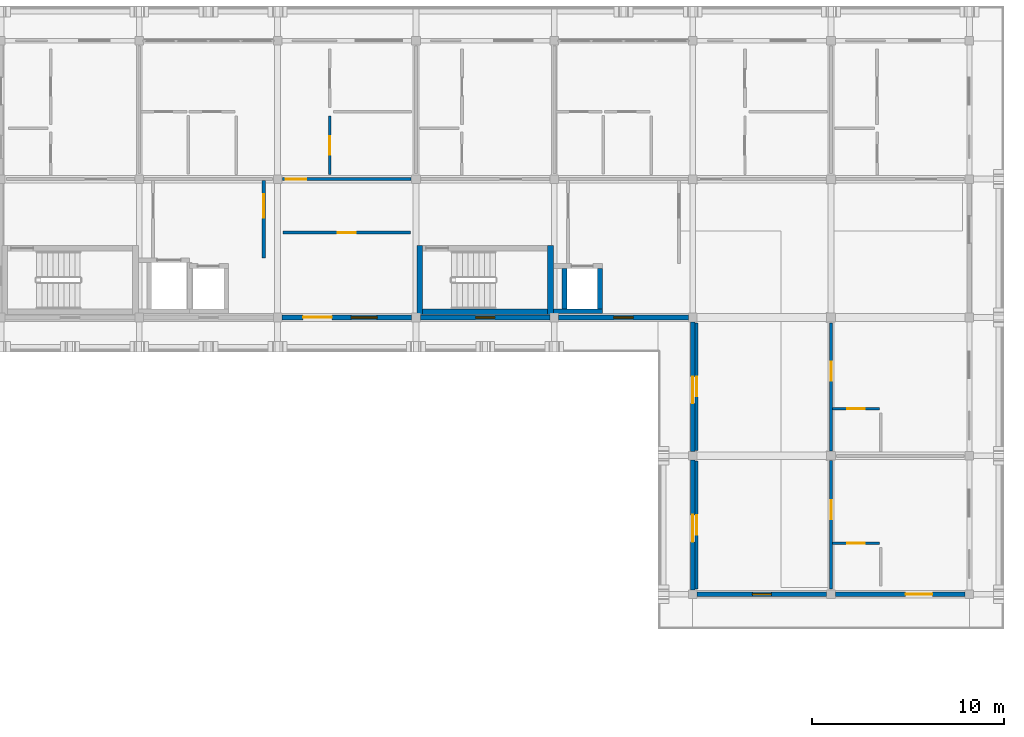
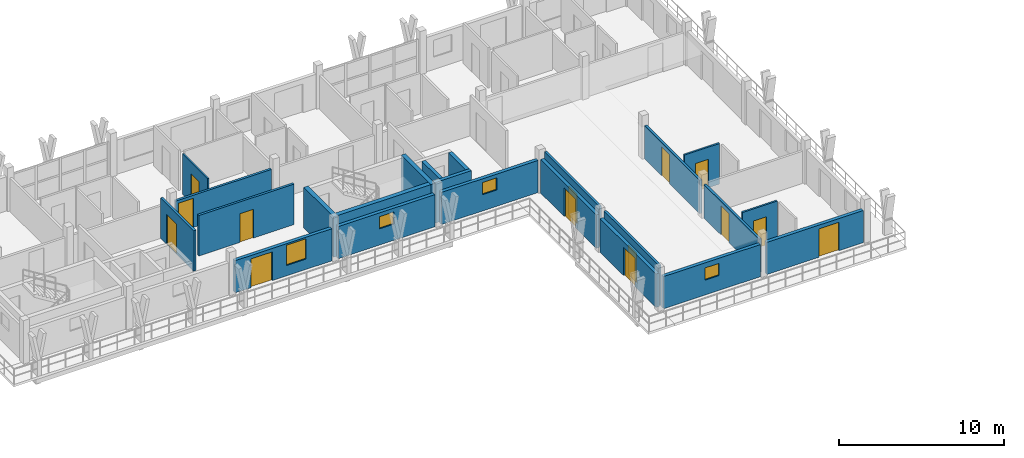
# One storey, part 33 of 45: 23 walls, 14 doors, 4 windows, 18 openings.
"""IFC4 building model written with IfcOpenShell, lengths in metres."""

from ifc_helpers import new_model, si_unit, direction, frame, frame_2d, origin, place, context, subcontext, project, spatial, rectangle, extrude, material, layer, layer_set, type_object, element, fill, save


model = new_model("IFC4")

# Units and contexts
model_context = context("Model", 3, precision=1e-05, world=origin(), true_north=direction((0.0, 1.0)))
body_context = subcontext(model_context, "Body", "Model", "MODEL_VIEW")
ifc_project = project(units=[si_unit("LENGTHUNIT", "METRE"), si_unit("AREAUNIT", "SQUARE_METRE"), si_unit("VOLUMEUNIT", "CUBIC_METRE"), si_unit("PLANEANGLEUNIT", "RADIAN"), si_unit("MASSUNIT", "GRAM", prefix="KILO")], contexts=[model_context])

# Site, building, storey
site_placement = place(None, origin())
site = spatial("IfcSite", under=ifc_project, at=site_placement, CompositionType="ELEMENT")
building_placement = place(site_placement, origin())
building = spatial("IfcBuilding", under=site, at=building_placement, Name="Suanplinth Sawtooth Commons", CompositionType="ELEMENT")
storey_placement = place(building_placement, frame((0.0, 0.0, 38.0)))
storey = spatial("IfcBuildingStorey", under=building, at=storey_placement, Name="L11", CompositionType="ELEMENT", Elevation=38.0)

# Walls
ifc_material_1 = material(Name="Concrete C40/50", Category="concrete")
ifc_layer_1 = layer(ifc_material_1, 0.300048828125, Name="Standard RC stair and lift core wall 300mm")
ifc_layer_set_1 = layer_set([ifc_layer_1], Name="Concrete C40/50")
wall_type_1 = type_object("IfcWallType", Name="W-CR02", PredefinedType="SHEAR", material=ifc_layer_set_1)
wall_1_placement = place(storey_placement, frame((158.75, 108.300048828125, 0.0), z_axis=(0.0, 0.0, 1.0), x_axis=(1.0, 0.0, 0.0)))
element("IfcWall", 1, at=wall_1_placement, inside=storey, type_object=wall_type_1, Name="W-L11-C-B2-STS", PredefinedType="SHEAR", context=body_context, shape_type="SweptSolid", body=[
    extrude(rectangle(XDim=6.5, YDim=0.300048828125, at=frame_2d((3.25, 0.0))), origin(), (0.0, 0.0, 1.0), 2.989990234375),
])
for number, where, z_axis, x_axis, name in (
    (2, (158.60009765625, 108.14990234375, 0.0), (0.0, 0.0, 1.0), (0.0, 1.0, 0.0), "W-L11-C-B2-STW"),
    (3, (165.39990234375, 108.14990234375, 0.0), (0.0, 0.0, 1.0), (0.0, 1.0, 0.0), "W-L11-C-B2-STE"),
):
    element("IfcWall", number, at=place(storey_placement, frame(where, z_axis=z_axis, x_axis=x_axis)), inside=storey, type_object=wall_type_1, Name=name, PredefinedType="SHEAR", context=body_context, shape_type="SweptSolid", body=[
        extrude(rectangle(XDim=3.60009765625, YDim=0.300048828125, at=frame_2d((1.800048828125, 0.0))), origin(), (0.0, 0.0, 1.0), 2.989990234375),
    ])

# Wall, openings, door, window
ifc_material_2 = material(Name="Precast concrete C40/50", Category="concrete")
ifc_layer_2 = layer(ifc_material_2, 0.239990234375, Name="Upper insulated precast facade wall 240mm")
ifc_layer_set_2 = layer_set([ifc_layer_2], Name="Precast concrete C40/50")
wall_type_2 = type_object("IfcWallType", Name="W-EX03", PredefinedType="ELEMENTEDWALL", material=ifc_layer_set_2)
wall_2_placement = place(storey_placement, frame((151.425048828125, 108.0, 0.0), z_axis=(0.0, 0.0, 1.0), x_axis=(1.0, 0.0, 0.0)))
wall_2 = element("IfcWall", 4, at=wall_2_placement, inside=storey, type_object=wall_type_2, Name="Facade Wall W-L11-B-S-21-15", PredefinedType="ELEMENTEDWALL", context=body_context, shape_type="SweptSolid", body=[
    extrude(rectangle(XDim=6.75, YDim=0.239990234375, at=frame_2d((3.375, 0.0))), origin(), (0.0, 0.0, 1.0), 2.375),
])
opening_1_placement = place(wall_2_placement, frame((1.10009765625, 0.0, 0.0)))
opening_1 = element("IfcOpeningElement", 5, at=opening_1_placement, cuts=wall_2, Name="Opening ED0795", PredefinedType="OPENING", context=body_context, shape_type="SweptSolid", body=[
    extrude(rectangle(XDim=1.5, YDim=2.1201171875, at=frame_2d((0.75, 1.06005859375))), frame((0.0, 0.134765625, 0.0), z_axis=(0.0, -1.0, 0.0), x_axis=(1.0, 0.0, 0.0)), (0.0, 0.0, 1.0), 0.269775390625),
])
opening_2_placement = place(wall_2_placement, frame((3.60009765625, 0.0, 0.764892578125)))
opening_2 = element("IfcOpeningElement", 6, at=opening_2_placement, cuts=wall_2, Name="Opening W0878", PredefinedType="OPENING", context=body_context, shape_type="SweptSolid", body=[
    extrude(rectangle(XDim=1.35009765625, YDim=1.5, at=frame_2d((0.675048828125, 0.75))), frame((0.0, 0.134765625, 0.0), z_axis=(0.0, -1.0, 0.0), x_axis=(1.0, 0.0, 0.0)), (0.0, 0.0, 1.0), 0.269775390625),
])
ifc_material_3 = material(Name="Anodized aluminium and low-E glass", Category="aluminium")
door_type_1 = type_object("IfcDoorType", Name="SD-03", OperationType="SLIDING_TO_LEFT", PredefinedType="DOOR", material=ifc_material_3)
door_1_placement = place(opening_1_placement, frame((1.5, 0.0, 0.0), z_axis=(0.0, 0.0, 1.0), x_axis=(-1.0, 0.0, 0.0)))
door_1 = element("IfcDoor", 7, at=door_1_placement, inside=storey, type_object=door_type_1, Name="Courtyard Balcony Door L11-B-21", OperationType="SLIDING_TO_LEFT", OverallHeight=2.1201171875, OverallWidth=1.5, PredefinedType="DOOR", context=body_context, shape_type="SweptSolid", body=[
    extrude(rectangle(XDim=1.5, YDim=2.1201171875, at=frame_2d((0.75, 1.06005859375))), frame((0.0, 0.02490234375, 0.0), z_axis=(0.0, -1.0, 0.0), x_axis=(1.0, 0.0, 0.0)), (0.0, 0.0, 1.0), 0.050048828125),
])
fill(opening_1, door_1)
ifc_material_4 = material(Name="Thermally broken aluminium and low-E double glazing", Category="aluminium")
window_type_1 = type_object("IfcWindowType", Name="WN-14", PartitioningType="SINGLE_PANEL", PredefinedType="WINDOW", material=ifc_material_4)
window_1_placement = place(opening_2_placement, origin())
window_1 = element("IfcWindow", 8, at=window_1_placement, inside=storey, type_object=window_type_1, Name="Courtyard Window L11-B-21", OverallHeight=1.5, OverallWidth=1.35009765625, PartitioningType="SINGLE_PANEL", PredefinedType="WINDOW", context=body_context, shape_type="SweptSolid", body=[
    extrude(rectangle(XDim=1.35009765625, YDim=1.5, at=frame_2d((0.675048828125, 0.75))), frame((0.0, 0.030029296875, 0.0), z_axis=(0.0, -1.0, 0.0), x_axis=(1.0, 0.0, 0.0)), (0.0, 0.0, 1.0), 0.06005859375),
])
fill(opening_2, window_1)

# Wall, opening, window
wall_3_placement = place(storey_placement, frame((158.625, 108.0, 0.0), z_axis=(0.0, 0.0, 1.0), x_axis=(1.0, 0.0, 0.0)))
wall_3 = element("IfcWall", 9, at=wall_3_placement, inside=storey, type_object=wall_type_2, Name="Facade Wall W-L11-B-S-22-15", PredefinedType="ELEMENTEDWALL", context=body_context, shape_type="SweptSolid", body=[
    extrude(rectangle(XDim=6.75, YDim=0.239990234375, at=frame_2d((3.375, 0.0))), origin(), (0.0, 0.0, 1.0), 2.375),
])
opening_3_placement = place(wall_3_placement, frame((2.875, 0.0, 1.199951171875)))
opening_3 = element("IfcOpeningElement", 10, at=opening_3_placement, cuts=wall_3, Name="Opening W0880", PredefinedType="OPENING", context=body_context, shape_type="SweptSolid", body=[
    extrude(rectangle(XDim=1.0, YDim=0.89990234375, at=frame_2d((0.5, 0.449951171875))), frame((0.0, 0.134765625, 0.0), z_axis=(0.0, -1.0, 0.0), x_axis=(1.0, 0.0, 0.0)), (0.0, 0.0, 1.0), 0.269775390625),
])
window_type_2 = type_object("IfcWindowType", Name="WN-12", PartitioningType="SINGLE_PANEL", PredefinedType="WINDOW", material=ifc_material_4)
window_2_placement = place(opening_3_placement, origin())
window_2 = element("IfcWindow", 11, at=window_2_placement, inside=storey, type_object=window_type_2, Name="Core Daylight Window L11-B-22-15", OverallHeight=0.89990234375, OverallWidth=1.0, PartitioningType="SINGLE_PANEL", PredefinedType="WINDOW", context=body_context, shape_type="SweptSolid", body=[
    extrude(rectangle(XDim=1.0, YDim=0.89990234375, at=frame_2d((0.5, 0.449951171875))), frame((0.0, 0.030029296875, 0.0), z_axis=(0.0, -1.0, 0.0), x_axis=(1.0, 0.0, 0.0)), (0.0, 0.0, 1.0), 0.06005859375),
])
fill(opening_3, window_2)

wall_4_placement = place(storey_placement, frame((165.824951171875, 108.0, 0.0), z_axis=(0.0, 0.0, 1.0), x_axis=(1.0, 0.0, 0.0)))
wall_4 = element("IfcWall", 12, at=wall_4_placement, inside=storey, type_object=wall_type_2, Name="Facade Wall W-L11-B-S-23-15", PredefinedType="ELEMENTEDWALL", context=body_context, shape_type="SweptSolid", body=[
    extrude(rectangle(XDim=6.75, YDim=0.239990234375, at=frame_2d((3.375, 0.0))), origin(), (0.0, 0.0, 1.0), 2.375),
])
opening_4_placement = place(wall_4_placement, frame((2.875, 0.0, 1.199951171875)))
opening_4 = element("IfcOpeningElement", 13, at=opening_4_placement, cuts=wall_4, Name="Opening W0882", PredefinedType="OPENING", context=body_context, shape_type="SweptSolid", body=[
    extrude(rectangle(XDim=1.0, YDim=0.89990234375, at=frame_2d((0.5, 0.449951171875))), frame((0.0, 0.134765625, 0.0), z_axis=(0.0, -1.0, 0.0), x_axis=(1.0, 0.0, 0.0)), (0.0, 0.0, 1.0), 0.269775390625),
])
window_3_placement = place(opening_4_placement, origin())
window_3 = element("IfcWindow", 14, at=window_3_placement, inside=storey, type_object=window_type_2, Name="Core Daylight Window L11-B-23-15", OverallHeight=0.89990234375, OverallWidth=1.0, PartitioningType="SINGLE_PANEL", PredefinedType="WINDOW", context=body_context, shape_type="SweptSolid", body=[
    extrude(rectangle(XDim=1.0, YDim=0.89990234375, at=frame_2d((0.5, 0.449951171875))), frame((0.0, 0.030029296875, 0.0), z_axis=(0.0, -1.0, 0.0), x_axis=(1.0, 0.0, 0.0)), (0.0, 0.0, 1.0), 0.06005859375),
])
fill(opening_4, window_3)

wall_5_placement = place(storey_placement, frame((173.02490234375, 93.60009765625, 0.0), z_axis=(0.0, 0.0, 1.0), x_axis=(1.0, 0.0, 0.0)))
wall_5 = element("IfcWall", 15, at=wall_5_placement, inside=storey, type_object=wall_type_2, Name="Facade Wall W-L11-B-S-24-13", PredefinedType="ELEMENTEDWALL", context=body_context, shape_type="SweptSolid", body=[
    extrude(rectangle(XDim=6.75, YDim=0.239990234375, at=frame_2d((3.375, 0.0))), origin(), (0.0, 0.0, 1.0), 2.375),
])
opening_5_placement = place(wall_5_placement, frame((2.875, 0.0, 1.10009765625)))
opening_5 = element("IfcOpeningElement", 16, at=opening_5_placement, cuts=wall_5, Name="Opening W0883", PredefinedType="OPENING", context=body_context, shape_type="SweptSolid", body=[
    extrude(rectangle(XDim=1.0, YDim=0.89990234375, at=frame_2d((0.5, 0.449951171875))), frame((0.0, 0.134765625, 0.0), z_axis=(0.0, -1.0, 0.0), x_axis=(1.0, 0.0, 0.0)), (0.0, 0.0, 1.0), 0.269775390625),
])
window_4_placement = place(opening_5_placement, origin())
window_4 = element("IfcWindow", 17, at=window_4_placement, inside=storey, type_object=window_type_2, Name="End Window L11-B-S-24-13", OverallHeight=0.89990234375, OverallWidth=1.0, PartitioningType="SINGLE_PANEL", PredefinedType="WINDOW", context=body_context, shape_type="SweptSolid", body=[
    extrude(rectangle(XDim=1.0, YDim=0.89990234375, at=frame_2d((0.5, 0.449951171875))), frame((0.0, 0.030029296875, 0.0), z_axis=(0.0, -1.0, 0.0), x_axis=(1.0, 0.0, 0.0)), (0.0, 0.0, 1.0), 0.06005859375),
])
fill(opening_5, window_4)

# Wall, opening, door
wall_6_placement = place(storey_placement, frame((172.800048828125, 93.824951171875, 0.0), z_axis=(0.0, 0.0, 1.0), x_axis=(0.0, 1.0, 0.0)))
wall_6 = element("IfcWall", 18, at=wall_6_placement, inside=storey, type_object=wall_type_2, Name="Facade Wall W-L11-B-W-24-13", PredefinedType="ELEMENTEDWALL", context=body_context, shape_type="SweptSolid", body=[
    extrude(rectangle(XDim=6.75, YDim=0.239990234375, at=frame_2d((3.375, 0.0))), origin(), (0.0, 0.0, 1.0), 2.47509765625),
])
opening_6_placement = place(wall_6_placement, frame((2.5, 0.0, 0.0)))
opening_6 = element("IfcOpeningElement", 19, at=opening_6_placement, cuts=wall_6, Name="Opening ED0798", PredefinedType="OPENING", context=body_context, shape_type="SweptSolid", body=[
    extrude(rectangle(XDim=1.39990234375, YDim=2.10009765625, at=frame_2d((0.699951171875, 1.050048828125))), frame((0.0, 0.134765625, 0.0), z_axis=(0.0, -1.0, 0.0), x_axis=(1.0, 0.0, 0.0)), (0.0, 0.0, 1.0), 0.269775390625),
])
door_type_2 = type_object("IfcDoorType", Name="SD-07", OperationType="SLIDING_TO_RIGHT", PredefinedType="DOOR", material=ifc_material_3)
door_2_placement = place(opening_6_placement, frame((1.39990234375, 0.0, 0.0), z_axis=(0.0, 0.0, 1.0), x_axis=(-1.0, 0.0, 0.0)))
door_2 = element("IfcDoor", 20, at=door_2_placement, inside=storey, type_object=door_type_2, Name="Courtyard Veranda Studio Balcony Door L11-B-13", OperationType="SLIDING_TO_RIGHT", OverallHeight=2.10009765625, OverallWidth=1.39990234375, PredefinedType="DOOR", context=body_context, shape_type="SweptSolid", body=[
    extrude(rectangle(XDim=1.39990234375, YDim=2.10009765625, at=frame_2d((0.699951171875, 1.050048828125))), frame((0.0, 0.02490234375, 0.0), z_axis=(0.0, -1.0, 0.0), x_axis=(1.0, 0.0, 0.0)), (0.0, 0.0, 1.0), 0.050048828125),
])
fill(opening_6, door_2)

wall_7_placement = place(storey_placement, frame((172.800048828125, 101.02490234375, 0.0), z_axis=(0.0, 0.0, 1.0), x_axis=(0.0, 1.0, 0.0)))
wall_7 = element("IfcWall", 21, at=wall_7_placement, inside=storey, type_object=wall_type_2, Name="Facade Wall W-L11-B-W-24-14", PredefinedType="ELEMENTEDWALL", context=body_context, shape_type="SweptSolid", body=[
    extrude(rectangle(XDim=6.75, YDim=0.239990234375, at=frame_2d((3.375, 0.0))), origin(), (0.0, 0.0, 1.0), 2.47509765625),
])
opening_7_placement = place(wall_7_placement, frame((2.5, 0.0, 0.0)))
opening_7 = element("IfcOpeningElement", 22, at=opening_7_placement, cuts=wall_7, Name="Opening ED0799", PredefinedType="OPENING", context=body_context, shape_type="SweptSolid", body=[
    extrude(rectangle(XDim=1.39990234375, YDim=2.10009765625, at=frame_2d((0.699951171875, 1.050048828125))), frame((0.0, 0.134765625, 0.0), z_axis=(0.0, -1.0, 0.0), x_axis=(1.0, 0.0, 0.0)), (0.0, 0.0, 1.0), 0.269775390625),
])
door_3_placement = place(opening_7_placement, frame((1.39990234375, 0.0, 0.0), z_axis=(0.0, 0.0, 1.0), x_axis=(-1.0, 0.0, 0.0)))
door_3 = element("IfcDoor", 23, at=door_3_placement, inside=storey, type_object=door_type_2, Name="Courtyard Veranda Studio Balcony Door L11-B-14", OperationType="SLIDING_TO_RIGHT", OverallHeight=2.10009765625, OverallWidth=1.39990234375, PredefinedType="DOOR", context=body_context, shape_type="SweptSolid", body=[
    extrude(rectangle(XDim=1.39990234375, YDim=2.10009765625, at=frame_2d((0.699951171875, 1.050048828125))), frame((0.0, 0.02490234375, 0.0), z_axis=(0.0, -1.0, 0.0), x_axis=(1.0, 0.0, 0.0)), (0.0, 0.0, 1.0), 0.050048828125),
])
fill(opening_7, door_3)

wall_8_placement = place(storey_placement, frame((180.22509765625, 93.60009765625, 0.0), z_axis=(0.0, 0.0, 1.0), x_axis=(1.0, 0.0, 0.0)))
wall_8 = element("IfcWall", 24, at=wall_8_placement, inside=storey, type_object=wall_type_2, Name="Facade Wall W-L11-B-S-25-13", PredefinedType="ELEMENTEDWALL", context=body_context, shape_type="SweptSolid", body=[
    extrude(rectangle(XDim=6.75, YDim=0.239990234375, at=frame_2d((3.375, 0.0))), origin(), (0.0, 0.0, 1.0), 2.375),
])
opening_8_placement = place(wall_8_placement, frame((3.64990234375, 0.0, 0.0)))
opening_8 = element("IfcOpeningElement", 25, at=opening_8_placement, cuts=wall_8, Name="Opening ED0801", PredefinedType="OPENING", context=body_context, shape_type="SweptSolid", body=[
    extrude(rectangle(XDim=1.39990234375, YDim=2.10009765625, at=frame_2d((0.699951171875, 1.050048828125))), frame((0.0, 0.134765625, 0.0), z_axis=(0.0, -1.0, 0.0), x_axis=(1.0, 0.0, 0.0)), (0.0, 0.0, 1.0), 0.269775390625),
])
door_4_placement = place(opening_8_placement, frame((1.39990234375, 0.0, 0.0), z_axis=(0.0, 0.0, 1.0), x_axis=(-1.0, 0.0, 0.0)))
door_4 = element("IfcDoor", 26, at=door_4_placement, inside=storey, type_object=door_type_2, Name="End Balcony Sliding Door L11-B-S-25-13", OperationType="SLIDING_TO_RIGHT", OverallHeight=2.10009765625, OverallWidth=1.39990234375, PredefinedType="DOOR", context=body_context, shape_type="SweptSolid", body=[
    extrude(rectangle(XDim=1.39990234375, YDim=2.10009765625, at=frame_2d((0.699951171875, 1.050048828125))), frame((0.0, 0.02490234375, 0.0), z_axis=(0.0, -1.0, 0.0), x_axis=(1.0, 0.0, 0.0)), (0.0, 0.0, 1.0), 0.050048828125),
])
fill(opening_8, door_4)

ifc_layer_3 = layer(ifc_material_2, 0.159912109375, Name="Fire-rated corridor and lobby wall 160mm")
ifc_layer_set_3 = layer_set([ifc_layer_3], Name="Precast concrete C40/50")
wall_type_3 = type_object("IfcWallType", Name="W-FW01", PredefinedType="PARTITIONING", material=ifc_layer_set_3)
wall_9_placement = place(storey_placement, frame((150.47998046875, 111.10009765625, 0.0), z_axis=(0.0, 0.0, 1.0), x_axis=(0.0, 1.0, 0.0)))
wall_9 = element("IfcWall", 27, at=wall_9_placement, inside=storey, type_object=wall_type_3, Name="W-L11-C-B1-LOB-E", PredefinedType="PARTITIONING", context=body_context, shape_type="SweptSolid", body=[
    extrude(rectangle(XDim=4.02001953125, YDim=0.159912109375, at=frame_2d((2.010009765625, 0.0))), origin(), (0.0, 0.0, 1.0), 2.989990234375),
])
opening_9_placement = place(wall_9_placement, frame((2.10009765625, 0.0, 0.0)))
opening_9 = element("IfcOpeningElement", 28, at=opening_9_placement, cuts=wall_9, Name="Opening FD0216", PredefinedType="OPENING", context=body_context, shape_type="SweptSolid", body=[
    extrude(rectangle(XDim=1.199951171875, YDim=2.199951171875, at=frame_2d((0.60009765625, 1.10009765625))), frame((0.0, 0.0947265625, 0.0), z_axis=(0.0, -1.0, 0.0), x_axis=(1.0, 0.0, 0.0)), (0.0, 0.0, 1.0), 0.189697265625),
])
ifc_material_5 = material(Name="Teak hardwood fire-rated door assembly", Category="wood")
door_type_3 = type_object("IfcDoorType", Name="FD-02", OperationType="NOTDEFINED", PredefinedType="DOOR", material=ifc_material_5)
door_5_placement = place(opening_9_placement, frame((1.199951171875, 0.0, 0.0), z_axis=(0.0, 0.0, 1.0), x_axis=(-1.0, 0.0, 0.0)))
door_5 = element("IfcDoor", 29, at=door_5_placement, inside=storey, type_object=door_type_3, Name="Lobby Fire Door FD0216", OperationType="SINGLE_SWING_RIGHT", OverallHeight=2.199951171875, OverallWidth=1.199951171875, PredefinedType="DOOR", context=body_context, shape_type="SweptSolid", body=[
    extrude(rectangle(XDim=1.199951171875, YDim=2.199951171875, at=frame_2d((0.60009765625, 1.10009765625))), frame((0.0, 0.02490234375, 0.0), z_axis=(0.0, -1.0, 0.0), x_axis=(1.0, 0.0, 0.0)), (0.0, 0.0, 1.0), 0.050048828125),
])
fill(opening_9, door_5)

wall_10_placement = place(storey_placement, frame((151.455078125, 115.199951171875, 0.0), z_axis=(0.0, 0.0, 1.0), x_axis=(1.0, 0.0, 0.0)))
wall_10 = element("IfcWall", 30, at=wall_10_placement, inside=storey, type_object=wall_type_3, Name="W-B-L11-U02-COR-S2", PredefinedType="PARTITIONING", context=body_context, shape_type="SweptSolid", body=[
    extrude(rectangle(XDim=6.68994140625, YDim=0.159912109375, at=frame_2d((3.344970703125, 0.0))), origin(), (0.0, 0.0, 1.0), 2.375),
])
opening_10_placement = place(wall_10_placement, frame((0.179931640625, 0.0, 0.0)))
opening_10 = element("IfcOpeningElement", 31, at=opening_10_placement, cuts=wall_10, Name="Opening FD1960", PredefinedType="OPENING", context=body_context, shape_type="SweptSolid", body=[
    extrude(rectangle(XDim=1.050048828125, YDim=2.14990234375, at=frame_2d((0.52490234375, 1.074951171875))), frame((0.0, 0.0947265625, 0.0), z_axis=(0.0, -1.0, 0.0), x_axis=(1.0, 0.0, 0.0)), (0.0, 0.0, 1.0), 0.189697265625),
])
door_type_4 = type_object("IfcDoorType", Name="FD-04", OperationType="NOTDEFINED", PredefinedType="DOOR", material=ifc_material_5)
door_6_placement = place(opening_10_placement, origin())
door_6 = element("IfcDoor", 32, at=door_6_placement, inside=storey, type_object=door_type_4, Name="Unit Entrance Door FD1960", OperationType="SINGLE_SWING_RIGHT", OverallHeight=2.14990234375, OverallWidth=1.050048828125, PredefinedType="DOOR", context=body_context, shape_type="SweptSolid", body=[
    extrude(rectangle(XDim=1.050048828125, YDim=2.14990234375, at=frame_2d((0.52490234375, 1.074951171875))), frame((0.0, 0.02490234375, 0.0), z_axis=(0.0, -1.0, 0.0), x_axis=(1.0, 0.0, 0.0)), (0.0, 0.0, 1.0), 0.050048828125),
])
fill(opening_10, door_6)

wall_11_placement = place(storey_placement, frame((151.47998046875, 112.419921875, 0.0), z_axis=(0.0, 0.0, 1.0), x_axis=(1.0, 0.0, 0.0)))
wall_11 = element("IfcWall", 33, at=wall_11_placement, inside=storey, type_object=wall_type_3, Name="W-B-L11-COURTROOM-18-COR", PredefinedType="PARTITIONING", context=body_context, shape_type="SweptSolid", body=[
    extrude(rectangle(XDim=6.64013671875, YDim=0.159912109375, at=frame_2d((3.320068359375, 0.0))), origin(), (0.0, 0.0, 1.0), 2.989990234375),
])
opening_11_placement = place(wall_11_placement, frame((2.85009765625, 0.0, 0.0)))
opening_11 = element("IfcOpeningElement", 34, at=opening_11_placement, cuts=wall_11, Name="Opening D1976", PredefinedType="OPENING", context=body_context, shape_type="SweptSolid", body=[
    extrude(rectangle(XDim=0.93994140625, YDim=2.1201171875, at=frame_2d((0.469970703125, 1.06005859375))), frame((0.0, 0.0947265625, 0.0), z_axis=(0.0, -1.0, 0.0), x_axis=(1.0, 0.0, 0.0)), (0.0, 0.0, 1.0), 0.189697265625),
])
ifc_material_6 = material(Name="Teak hardwood", Category="wood")
door_type_5 = type_object("IfcDoorType", Name="D-15", OperationType="NOTDEFINED", PredefinedType="DOOR", material=ifc_material_6)
door_7_placement = place(opening_11_placement, frame((0.93994140625, 0.0, 0.0), z_axis=(0.0, 0.0, 1.0), x_axis=(-1.0, 0.0, 0.0)))
door_7 = element("IfcDoor", 35, at=door_7_placement, inside=storey, type_object=door_type_5, Name="Study Studio Door D1976", OperationType="SINGLE_SWING_RIGHT", OverallHeight=2.1201171875, OverallWidth=0.93994140625, PredefinedType="DOOR", context=body_context, shape_type="SweptSolid", body=[
    extrude(rectangle(XDim=0.93994140625, YDim=2.1201171875, at=frame_2d((0.469970703125, 1.06005859375))), frame((0.0, 0.02490234375, 0.0), z_axis=(0.0, -1.0, 0.0), x_axis=(1.0, 0.0, 0.0)), (0.0, 0.0, 1.0), 0.050048828125),
])
fill(opening_11, door_7)

wall_12_placement = place(storey_placement, frame((180.0, 93.8798828125, 0.0), z_axis=(0.0, 0.0, 1.0), x_axis=(0.0, 1.0, 0.0)))
wall_12 = element("IfcWall", 36, at=wall_12_placement, inside=storey, type_object=wall_type_3, Name="W-B-L11-L01-COR", PredefinedType="PARTITIONING", context=body_context, shape_type="SweptSolid", body=[
    extrude(rectangle(XDim=6.6650390625, YDim=0.159912109375, at=frame_2d((3.33251953125, 0.0))), origin(), (0.0, 0.0, 1.0), 2.47509765625),
])
opening_12_placement = place(wall_12_placement, frame((3.6201171875, 0.0, 0.0)))
opening_12 = element("IfcOpeningElement", 37, at=opening_12_placement, cuts=wall_12, Name="Opening FD1977", PredefinedType="OPENING", context=body_context, shape_type="SweptSolid", body=[
    extrude(rectangle(XDim=1.0, YDim=2.14990234375, at=frame_2d((0.5, 1.074951171875))), frame((0.0, 0.0947265625, 0.0), z_axis=(0.0, -1.0, 0.0), x_axis=(1.0, 0.0, 0.0)), (0.0, 0.0, 1.0), 0.189697265625),
])
door_type_6 = type_object("IfcDoorType", Name="FD-03", OperationType="NOTDEFINED", PredefinedType="DOOR", material=ifc_material_5)
door_8_placement = place(opening_12_placement, frame((1.0, 0.0, 0.0), z_axis=(0.0, 0.0, 1.0), x_axis=(-1.0, 0.0, 0.0)))
door_8 = element("IfcDoor", 38, at=door_8_placement, inside=storey, type_object=door_type_6, Name="Wing Unit Entrance Door FD1977", OperationType="SINGLE_SWING_LEFT", OverallHeight=2.14990234375, OverallWidth=1.0, PredefinedType="DOOR", context=body_context, shape_type="SweptSolid", body=[
    extrude(rectangle(XDim=1.0, YDim=2.14990234375, at=frame_2d((0.5, 1.074951171875))), frame((0.0, 0.02490234375, 0.0), z_axis=(0.0, -1.0, 0.0), x_axis=(1.0, 0.0, 0.0)), (0.0, 0.0, 1.0), 0.050048828125),
])
fill(opening_12, door_8)

wall_13_placement = place(storey_placement, frame((173.0, 93.8798828125, 0.0), z_axis=(0.0, 0.0, 1.0), x_axis=(0.0, 1.0, 0.0)))
wall_13 = element("IfcWall", 39, at=wall_13_placement, inside=storey, type_object=wall_type_3, Name="W-B-L11-LEGCOURTROOM-20-COR", PredefinedType="PARTITIONING", context=body_context, shape_type="SweptSolid", body=[
    extrude(rectangle(XDim=6.64013671875, YDim=0.159912109375, at=frame_2d((3.320068359375, 0.0))), origin(), (0.0, 0.0, 1.0), 2.989990234375),
])
opening_13_placement = place(wall_13_placement, frame((2.81005859375, 0.0, 0.0)))
opening_13 = element("IfcOpeningElement", 40, at=opening_13_placement, cuts=wall_13, Name="Opening D1979", PredefinedType="OPENING", context=body_context, shape_type="SweptSolid", body=[
    extrude(rectangle(XDim=1.02001953125, YDim=2.179931640625, at=frame_2d((0.510009765625, 1.08984375))), frame((0.0, 0.0947265625, 0.0), z_axis=(0.0, -1.0, 0.0), x_axis=(1.0, 0.0, 0.0)), (0.0, 0.0, 1.0), 0.189697265625),
])
door_type_7 = type_object("IfcDoorType", Name="D-16", OperationType="NOTDEFINED", PredefinedType="DOOR", material=ifc_material_6)
door_9_placement = place(opening_13_placement, origin())
door_9 = element("IfcDoor", 41, at=door_9_placement, inside=storey, type_object=door_type_7, Name="Veranda Studio Door D1979", OperationType="SINGLE_SWING_LEFT", OverallHeight=2.179931640625, OverallWidth=1.02001953125, PredefinedType="DOOR", context=body_context, shape_type="SweptSolid", body=[
    extrude(rectangle(XDim=1.02001953125, YDim=2.179931640625, at=frame_2d((0.510009765625, 1.08984375))), frame((0.0, 0.02490234375, 0.0), z_axis=(0.0, -1.0, 0.0), x_axis=(1.0, 0.0, 0.0)), (0.0, 0.0, 1.0), 0.050048828125),
])
fill(opening_13, door_9)

wall_14_placement = place(storey_placement, frame((180.0, 101.054931640625, 0.0), z_axis=(0.0, 0.0, 1.0), x_axis=(0.0, 1.0, 0.0)))
wall_14 = element("IfcWall", 42, at=wall_14_placement, inside=storey, type_object=wall_type_3, Name="W-B-L11-L02-COR", PredefinedType="PARTITIONING", context=body_context, shape_type="SweptSolid", body=[
    extrude(rectangle(XDim=6.6650390625, YDim=0.159912109375, at=frame_2d((3.33251953125, 0.0))), origin(), (0.0, 0.0, 1.0), 2.47509765625),
])
opening_14_placement = place(wall_14_placement, frame((3.64501953125, 0.0, 0.0)))
opening_14 = element("IfcOpeningElement", 43, at=opening_14_placement, cuts=wall_14, Name="Opening FD1980", PredefinedType="OPENING", context=body_context, shape_type="SweptSolid", body=[
    extrude(rectangle(XDim=1.0, YDim=2.14990234375, at=frame_2d((0.5, 1.074951171875))), frame((0.0, 0.0947265625, 0.0), z_axis=(0.0, -1.0, 0.0), x_axis=(1.0, 0.0, 0.0)), (0.0, 0.0, 1.0), 0.189697265625),
])
door_10_placement = place(opening_14_placement, frame((1.0, 0.0, 0.0), z_axis=(0.0, 0.0, 1.0), x_axis=(-1.0, 0.0, 0.0)))
door_10 = element("IfcDoor", 44, at=door_10_placement, inside=storey, type_object=door_type_6, Name="Wing Unit Entrance Door FD1980", OperationType="SINGLE_SWING_RIGHT", OverallHeight=2.14990234375, OverallWidth=1.0, PredefinedType="DOOR", context=body_context, shape_type="SweptSolid", body=[
    extrude(rectangle(XDim=1.0, YDim=2.14990234375, at=frame_2d((0.5, 1.074951171875))), frame((0.0, 0.02490234375, 0.0), z_axis=(0.0, -1.0, 0.0), x_axis=(1.0, 0.0, 0.0)), (0.0, 0.0, 1.0), 0.050048828125),
])
fill(opening_14, door_10)

wall_15_placement = place(storey_placement, frame((173.0, 101.080078125, 0.0), z_axis=(0.0, 0.0, 1.0), x_axis=(0.0, 1.0, 0.0)))
wall_15 = element("IfcWall", 45, at=wall_15_placement, inside=storey, type_object=wall_type_3, Name="W-B-L11-LEGCOURTROOM-22-COR", PredefinedType="PARTITIONING", context=body_context, shape_type="SweptSolid", body=[
    extrude(rectangle(XDim=6.639892578125, YDim=0.159912109375, at=frame_2d((3.31982421875, 0.0))), origin(), (0.0, 0.0, 1.0), 2.989990234375),
])
opening_15_placement = place(wall_15_placement, frame((2.81005859375, 0.0, 0.0)))
opening_15 = element("IfcOpeningElement", 46, at=opening_15_placement, cuts=wall_15, Name="Opening D1982", PredefinedType="OPENING", context=body_context, shape_type="SweptSolid", body=[
    extrude(rectangle(XDim=1.02001953125, YDim=2.179931640625, at=frame_2d((0.510009765625, 1.08984375))), frame((0.0, 0.0947265625, 0.0), z_axis=(0.0, -1.0, 0.0), x_axis=(1.0, 0.0, 0.0)), (0.0, 0.0, 1.0), 0.189697265625),
])
door_11_placement = place(opening_15_placement, origin())
door_11 = element("IfcDoor", 47, at=door_11_placement, inside=storey, type_object=door_type_7, Name="Veranda Studio Door D1982", OperationType="SINGLE_SWING_RIGHT", OverallHeight=2.179931640625, OverallWidth=1.02001953125, PredefinedType="DOOR", context=body_context, shape_type="SweptSolid", body=[
    extrude(rectangle(XDim=1.02001953125, YDim=2.179931640625, at=frame_2d((0.510009765625, 1.08984375))), frame((0.0, 0.02490234375, 0.0), z_axis=(0.0, -1.0, 0.0), x_axis=(1.0, 0.0, 0.0)), (0.0, 0.0, 1.0), 0.050048828125),
])
fill(opening_15, door_11)

ifc_material_7 = material(Name="Gypsum plasterboard on steel stud", Category="steel")
ifc_layer_4 = layer(ifc_material_7, 0.1298828125, Name="Moisture-resistant bathroom partition 130mm")
ifc_layer_set_4 = layer_set([ifc_layer_4], Name="Gypsum plasterboard on steel stud")
wall_type_4 = type_object("IfcWallType", Name="W-PT02", PredefinedType="PARTITIONING", material=ifc_layer_set_4)
wall_16_placement = place(storey_placement, frame((180.080078125, 96.2451171875, 0.0), z_axis=(0.0, 0.0, 1.0), x_axis=(1.0, 0.0, 0.0)))
wall_16 = element("IfcWall", 48, at=wall_16_placement, inside=storey, type_object=wall_type_4, Name="W-B-L11-L01-BTH1", PredefinedType="PARTITIONING", context=body_context, shape_type="SweptSolid", body=[
    extrude(rectangle(XDim=2.449951171875, YDim=0.1298828125, at=frame_2d((1.22509765625, 0.0))), origin(), (0.0, 0.0, 1.0), 2.989990234375),
])
opening_16_placement = place(wall_16_placement, frame((0.77490234375, 0.0, 0.0)))
opening_16 = element("IfcOpeningElement", 49, at=opening_16_placement, cuts=wall_16, Name="Opening D1978", PredefinedType="OPENING", context=body_context, shape_type="SweptSolid", body=[
    extrude(rectangle(XDim=0.89990234375, YDim=2.10009765625, at=frame_2d((0.449951171875, 1.050048828125))), frame((0.0, 0.079833984375, 0.0), z_axis=(0.0, -1.0, 0.0), x_axis=(1.0, 0.0, 0.0)), (0.0, 0.0, 1.0), 0.15966796875),
])
door_type_8 = type_object("IfcDoorType", Name="D-01", OperationType="NOTDEFINED", PredefinedType="DOOR", material=ifc_material_6)
door_12_placement = place(opening_16_placement, frame((0.89990234375, 0.0, 0.0), z_axis=(0.0, 0.0, 1.0), x_axis=(-1.0, 0.0, 0.0)))
door_12 = element("IfcDoor", 50, at=door_12_placement, inside=storey, type_object=door_type_8, Name="Bathroom Door D1978", OperationType="SINGLE_SWING_RIGHT", OverallHeight=2.10009765625, OverallWidth=0.89990234375, PredefinedType="DOOR", context=body_context, shape_type="SweptSolid", body=[
    extrude(rectangle(XDim=0.89990234375, YDim=2.10009765625, at=frame_2d((0.449951171875, 1.050048828125))), frame((0.0, 0.02490234375, 0.0), z_axis=(0.0, -1.0, 0.0), x_axis=(1.0, 0.0, 0.0)), (0.0, 0.0, 1.0), 0.050048828125),
])
fill(opening_16, door_12)

wall_17_placement = place(storey_placement, frame((180.080078125, 103.2451171875, 0.0), z_axis=(0.0, 0.0, 1.0), x_axis=(1.0, 0.0, 0.0)))
wall_17 = element("IfcWall", 51, at=wall_17_placement, inside=storey, type_object=wall_type_4, Name="W-B-L11-L02-BTH1", PredefinedType="PARTITIONING", context=body_context, shape_type="SweptSolid", body=[
    extrude(rectangle(XDim=2.449951171875, YDim=0.1298828125, at=frame_2d((1.22509765625, 0.0))), origin(), (0.0, 0.0, 1.0), 2.989990234375),
])
opening_17_placement = place(wall_17_placement, frame((0.77490234375, 0.0, 0.0)))
opening_17 = element("IfcOpeningElement", 52, at=opening_17_placement, cuts=wall_17, Name="Opening D1981", PredefinedType="OPENING", context=body_context, shape_type="SweptSolid", body=[
    extrude(rectangle(XDim=0.89990234375, YDim=2.10009765625, at=frame_2d((0.449951171875, 1.050048828125))), frame((0.0, 0.079833984375, 0.0), z_axis=(0.0, -1.0, 0.0), x_axis=(1.0, 0.0, 0.0)), (0.0, 0.0, 1.0), 0.15966796875),
])
door_13_placement = place(opening_17_placement, frame((0.89990234375, 0.0, 0.0), z_axis=(0.0, 0.0, 1.0), x_axis=(-1.0, 0.0, 0.0)))
door_13 = element("IfcDoor", 53, at=door_13_placement, inside=storey, type_object=door_type_8, Name="Bathroom Door D1981", OperationType="SINGLE_SWING_LEFT", OverallHeight=2.10009765625, OverallWidth=0.89990234375, PredefinedType="DOOR", context=body_context, shape_type="SweptSolid", body=[
    extrude(rectangle(XDim=0.89990234375, YDim=2.10009765625, at=frame_2d((0.449951171875, 1.050048828125))), frame((0.0, 0.02490234375, 0.0), z_axis=(0.0, -1.0, 0.0), x_axis=(1.0, 0.0, 0.0)), (0.0, 0.0, 1.0), 0.050048828125),
])
fill(opening_17, door_13)

ifc_layer_5 = layer(ifc_material_7, 0.1201171875, Name="Acoustic bedroom partition 120mm")
ifc_layer_set_5 = layer_set([ifc_layer_5], Name="Gypsum plasterboard on steel stud")
wall_type_5 = type_object("IfcWallType", Name="W-PT03", PredefinedType="PARTITIONING", material=ifc_layer_set_5)
wall_18_placement = place(storey_placement, frame((153.919921875, 115.43994140625, 0.0), z_axis=(0.0, 0.0, 1.0), x_axis=(0.0, 1.0, 0.0)))
wall_18 = element("IfcWall", 54, at=wall_18_placement, inside=storey, type_object=wall_type_5, Name="W-B-L11-U02-BED2", PredefinedType="PARTITIONING", context=body_context, shape_type="SweptSolid", body=[
    extrude(rectangle(XDim=3.0400390625, YDim=0.1201171875, at=frame_2d((1.52001953125, 0.0))), origin(), (0.0, 0.0, 1.0), 2.989990234375),
])
opening_18_placement = place(wall_18_placement, frame((1.0400390625, 0.0, 0.0)))
opening_18 = element("IfcOpeningElement", 55, at=opening_18_placement, cuts=wall_18, Name="Opening D1964", PredefinedType="OPENING", context=body_context, shape_type="SweptSolid", body=[
    extrude(rectangle(XDim=0.9599609375, YDim=2.14990234375, at=frame_2d((0.47998046875, 1.074951171875))), frame((0.0, 0.074951171875, 0.0), z_axis=(0.0, -1.0, 0.0), x_axis=(1.0, 0.0, 0.0)), (0.0, 0.0, 1.0), 0.14990234375),
])
door_type_9 = type_object("IfcDoorType", Name="D-13", OperationType="NOTDEFINED", PredefinedType="DOOR", material=ifc_material_6)
door_14_placement = place(opening_18_placement, frame((0.9599609375, 0.0, 0.0), z_axis=(0.0, 0.0, 1.0), x_axis=(-1.0, 0.0, 0.0)))
door_14 = element("IfcDoor", 56, at=door_14_placement, inside=storey, type_object=door_type_9, Name="Second Bedroom Door D1964", OperationType="SINGLE_SWING_RIGHT", OverallHeight=2.14990234375, OverallWidth=0.9599609375, PredefinedType="DOOR", context=body_context, shape_type="SweptSolid", body=[
    extrude(rectangle(XDim=0.9599609375, YDim=2.14990234375, at=frame_2d((0.47998046875, 1.074951171875))), frame((0.0, 0.02490234375, 0.0), z_axis=(0.0, -1.0, 0.0), x_axis=(1.0, 0.0, 0.0)), (0.0, 0.0, 1.0), 0.050048828125),
])
fill(opening_18, door_14)

# Walls
ifc_layer_6 = layer(ifc_material_2, 0.25, Name="Precast structural shear wall 250mm")
ifc_layer_set_6 = layer_set([ifc_layer_6], Name="Precast concrete C40/50")
wall_type_6 = type_object("IfcWallType", Name="W-SH01", PredefinedType="SHEAR", material=ifc_layer_set_6)
wall_19_placement = place(storey_placement, frame((165.550048828125, 108.324951171875, 0.0), z_axis=(0.0, 0.0, 1.0), x_axis=(1.0, 0.0, 0.0)))
element("IfcWall", 57, at=wall_19_placement, inside=storey, type_object=wall_type_6, Name="W-L11-LF4-S", PredefinedType="SHEAR", context=body_context, shape_type="SweptSolid", body=[
    extrude(rectangle(XDim=2.550048828125, YDim=0.25, at=frame_2d((1.27490234375, 0.0))), origin(), (0.0, 0.0, 1.0), 2.989990234375),
])
for number, where, z_axis, x_axis, name in (
    (58, (166.125, 108.449951171875, 0.0), (0.0, 0.0, 1.0), (0.0, 1.0, 0.0), "W-L11-LF4-W"),
    (59, (167.97509765625, 108.449951171875, 0.0), (0.0, 0.0, 1.0), (0.0, 1.0, 0.0), "W-L11-LF4-E"),
):
    element("IfcWall", number, at=place(storey_placement, frame(where, z_axis=z_axis, x_axis=x_axis)), inside=storey, type_object=wall_type_6, Name=name, PredefinedType="SHEAR", context=body_context, shape_type="SweptSolid", body=[
        extrude(rectangle(XDim=2.10009765625, YDim=0.25, at=frame_2d((1.050048828125, 0.0))), origin(), (0.0, 0.0, 1.0), 2.989990234375),
    ])

save(model, "model.ifc")
